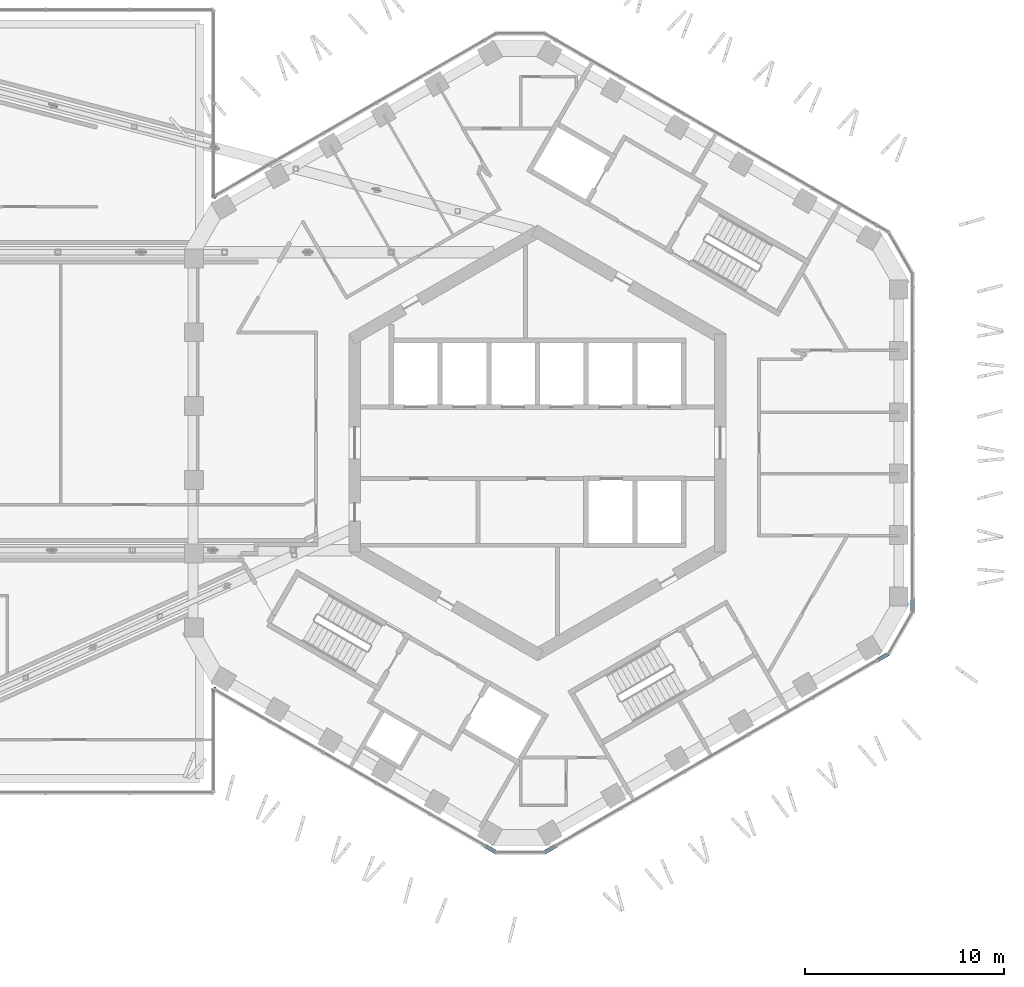
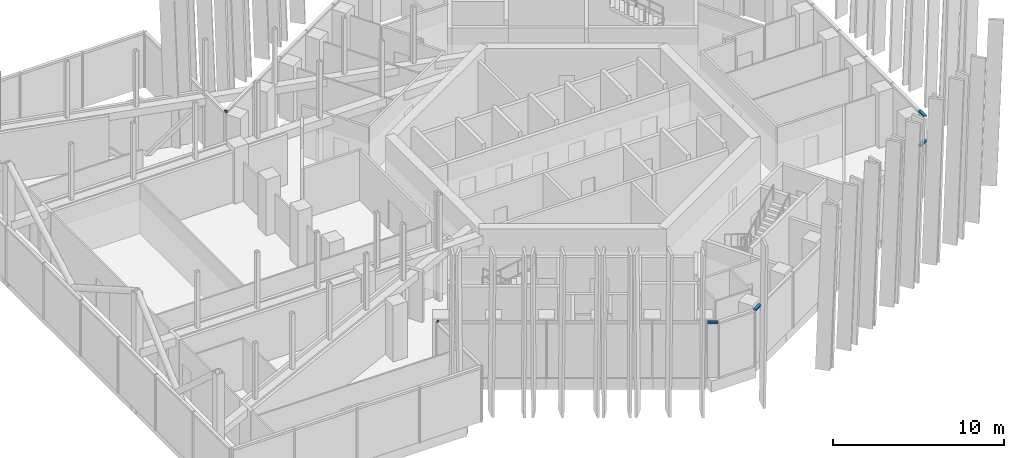
# One storey, part 10 of 28: 6 members, 4 elements without a shape of their own.
"""IFC4 building model written with IfcOpenShell, lengths in metres."""

from ifc_helpers import new_model, si_unit, direction, frame, origin, origin_2d, place, context, subcontext, project, spatial, rectangle, extrude, material, layer, layer_set, material_profile, profile_set, type_object, element, aggregate, save


model = new_model("IFC4")

# Units and contexts
model_context = context("Model", 3, precision=1e-05, world=origin(), true_north=direction((0.0, 1.0)))
body_context = subcontext(model_context, "Body", "Model", "MODEL_VIEW")
ifc_project = project(units=[si_unit("LENGTHUNIT", "METRE"), si_unit("AREAUNIT", "SQUARE_METRE"), si_unit("VOLUMEUNIT", "CUBIC_METRE"), si_unit("PLANEANGLEUNIT", "RADIAN"), si_unit("MASSUNIT", "GRAM", prefix="KILO")], contexts=[model_context])

# Site, building, storey
site_placement = place(None, origin())
site = spatial("IfcSite", under=ifc_project, at=site_placement, CompositionType="ELEMENT")
building_placement = place(site_placement, origin())
building = spatial("IfcBuilding", under=site, at=building_placement, Name="Ayvan Gate Tower", CompositionType="ELEMENT")
storey_placement = place(building_placement, frame((0.0, 0.0, 202.10009765625)))
storey = spatial("IfcBuildingStorey", under=building, at=storey_placement, Name="L54", CompositionType="ELEMENT", Elevation=202.10009765625)

# Curtain wall, members
ifc_material = material(Name="Bronze anodised aluminium", Category="aluminium")
ifc_layer = layer(ifc_material, 0.199951171875)
ifc_layer_set = layer_set([ifc_layer], Name="Bronze anodised aluminium")
curtain_wall_type = type_object("IfcCurtainWallType", Name="Stick curtain wall CW-6", PredefinedType="NOTDEFINED", material=ifc_layer_set)
curtain_wall_1_placement = place(storey_placement, origin())
curtain_wall_1 = element("IfcCurtainWall", 1, at=curtain_wall_1_placement, inside=storey, type_object=curtain_wall_type, Name="Stick curtain wall CW-6 L54", PredefinedType="NOTDEFINED")
ifc_material_profile = material_profile(ifc_material, rectangle(XDim=0.199951171875, YDim=0.1201171875, at=origin_2d()), Name="Stick curtain wall CW-6 transom 200 x 120")
ifc_profile_set = profile_set([ifc_material_profile], Name="Bronze anodised aluminium")
member_type = type_object("IfcMemberType", Name="Stick curtain wall CW-6 transom 200 x 120", PredefinedType="USERDEFINED", material=ifc_profile_set)
member_1_placement = place(storey_placement, frame((-2.632568359375, -20.288330078125, 3.93994140625), z_axis=(0.866022959057, -0.500004234368, 0.0), x_axis=(0.500004234368, 0.866022959057, 0.0)))
member_1 = element("IfcMember", 2, at=member_1_placement, type_object=member_type, Name="CW-6 transom 1", ObjectType="TRANSOM", PredefinedType="USERDEFINED", context=body_context, shape_type="SweptSolid", body=[
    extrude(rectangle(XDim=0.199951171875, YDim=0.1201171875, at=origin_2d()), origin(), (0.0, 0.0, 1.0), 0.625),
])
member_2_placement = place(storey_placement, frame((0.36669921875, -20.600830078125, 3.93994140625), z_axis=(0.866022959057, 0.500004234368, 0.0), x_axis=(-0.500004234368, 0.866022959057, 0.0)))
member_2 = element("IfcMember", 3, at=member_2_placement, type_object=member_type, Name="CW-6 transom 3", ObjectType="TRANSOM", PredefinedType="USERDEFINED", context=body_context, shape_type="SweptSolid", body=[
    extrude(rectangle(XDim=0.199951171875, YDim=0.1201171875, at=origin_2d()), origin(), (0.0, 0.0, 1.0), 0.625),
])
aggregate(curtain_wall_1, [member_1, member_2])

curtain_wall_2_placement = place(storey_placement, origin())
curtain_wall_2 = element("IfcCurtainWall", 4, at=curtain_wall_2_placement, inside=storey, type_object=curtain_wall_type, Name="Stick curtain wall CW-6 L54", PredefinedType="NOTDEFINED")
member_3_placement = place(storey_placement, frame((17.116455078125, -10.930419921875, 3.93994140625), z_axis=(0.866022959057, 0.500004234368, 0.0), x_axis=(-0.500004234368, 0.866022959057, 0.0)))
member_3 = element("IfcMember", 5, at=member_3_placement, type_object=member_type, Name="CW-6 transom 1", ObjectType="TRANSOM", PredefinedType="USERDEFINED", context=body_context, shape_type="SweptSolid", body=[
    extrude(rectangle(XDim=0.199951171875, YDim=0.1201171875, at=origin_2d()), origin(), (0.0, 0.0, 1.0), 0.625),
])
member_4_placement = place(storey_placement, frame((18.886474609375, -8.489501953125, 3.93994140625), z_axis=(0.0, 1.0, 0.0), x_axis=(-1.0, 0.0, 0.0)))
member_4 = element("IfcMember", 6, at=member_4_placement, type_object=member_type, Name="CW-6 transom 3", ObjectType="TRANSOM", PredefinedType="USERDEFINED", context=body_context, shape_type="SweptSolid", body=[
    extrude(rectangle(XDim=0.199951171875, YDim=0.1201171875, at=origin_2d()), origin(), (0.0, 0.0, 1.0), 0.625),
])
aggregate(curtain_wall_2, [member_3, member_4])

# Curtain wall, member
curtain_wall_3_placement = place(storey_placement, origin())
curtain_wall_3 = element("IfcCurtainWall", 7, at=curtain_wall_3_placement, inside=storey, type_object=curtain_wall_type, Name="Stick curtain wall CW-6 L54", PredefinedType="NOTDEFINED")
member_5_placement = place(storey_placement, frame((-16.254150390625, 12.424072265625, 3.93994140625), z_axis=(-0.705875962776, -0.708335460904, 0.0), x_axis=(0.708335460904, -0.705875962776, 0.0)))
member_5 = element("IfcMember", 8, at=member_5_placement, type_object=member_type, Name="CW-6 transom 1", ObjectType="TRANSOM", PredefinedType="USERDEFINED", context=body_context, shape_type="SweptSolid", body=[
    extrude(rectangle(XDim=0.199951171875, YDim=0.1201171875, at=origin_2d()), origin(), (0.0, 0.0, 1.0), 0.099365234375),
])
aggregate(curtain_wall_3, [member_5])

curtain_wall_4_placement = place(storey_placement, origin())
curtain_wall_4 = element("IfcCurtainWall", 9, at=curtain_wall_4_placement, inside=storey, type_object=curtain_wall_type, Name="Stick curtain wall CW-6 L54", PredefinedType="NOTDEFINED")
member_6_placement = place(storey_placement, frame((-16.32421875, -12.353759765625, 3.93994140625), z_axis=(0.705875962776, -0.708335460904, 0.0), x_axis=(0.708335460904, 0.705875962776, 0.0)))
member_6 = element("IfcMember", 10, at=member_6_placement, type_object=member_type, Name="CW-6 transom 1", ObjectType="TRANSOM", PredefinedType="USERDEFINED", context=body_context, shape_type="SweptSolid", body=[
    extrude(rectangle(XDim=0.199951171875, YDim=0.1201171875, at=origin_2d()), origin(), (0.0, 0.0, 1.0), 0.099365234375),
])
aggregate(curtain_wall_4, [member_6])

save(model, "model.ifc")
